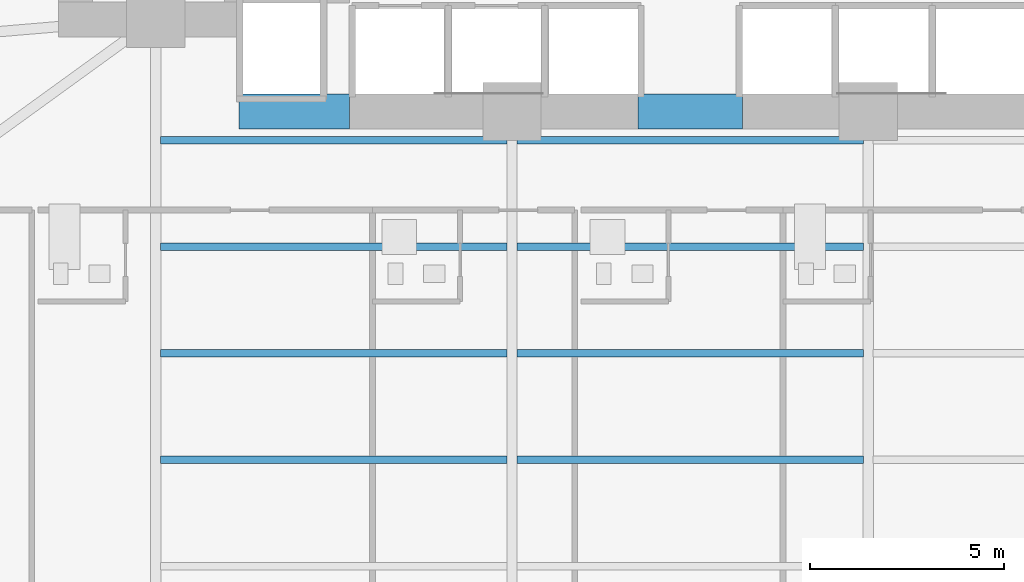
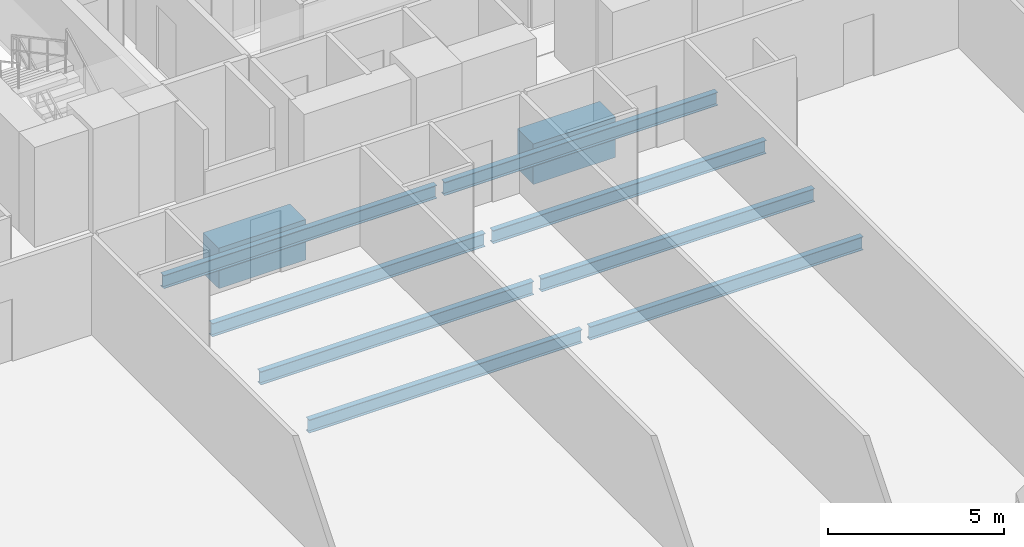
# One storey, part 7 of 29: 10 beams.
"""IFC4 building model written with IfcOpenShell, lengths in metres."""

from ifc_helpers import new_model, si_unit, direction, frame, origin, origin_2d, place, context, subcontext, project, spatial, rectangle, i_section, extrude, material, material_profile, profile_set, type_object, element, save


model = new_model("IFC4")

# Units and contexts
model_context = context("Model", 3, precision=1e-05, world=origin(), true_north=direction((0.0, 1.0)))
body_context = subcontext(model_context, "Body", "Model", "MODEL_VIEW")
ifc_project = project(units=[si_unit("LENGTHUNIT", "METRE"), si_unit("AREAUNIT", "SQUARE_METRE"), si_unit("VOLUMEUNIT", "CUBIC_METRE"), si_unit("PLANEANGLEUNIT", "RADIAN"), si_unit("MASSUNIT", "GRAM", prefix="KILO")], contexts=[model_context])

# Site, building, storey
site_placement = place(None, origin())
site = spatial("IfcSite", under=ifc_project, at=site_placement, CompositionType="ELEMENT")
building_placement = place(site_placement, origin())
building = spatial("IfcBuilding", under=site, at=building_placement, Name="Zuhayl Quay Hotel", CompositionType="ELEMENT")
storey_placement = place(building_placement, frame((0.0, 0.0, 38.550048828125)))
storey = spatial("IfcBuildingStorey", under=building, at=storey_placement, Name="L08", CompositionType="ELEMENT", Elevation=38.550048828125)

# Beams
ifc_material_1 = material(Name="Concrete C60/75", Category="concrete")
ifc_material_profile_1 = material_profile(ifc_material_1, rectangle(XDim=0.89990234375, YDim=1.39990234375, at=origin_2d()), Name="RC900X1400")
ifc_profile_set_1 = profile_set([ifc_material_profile_1], Name="Concrete C60/75")
beam_type_1 = type_object("IfcBeamType", Name="BM_CB1_RC900", PredefinedType="T_BEAM", material=ifc_profile_set_1)
beam_1_placement = place(storey_placement, frame((-11.64990234375, 2.14990234375, -0.920166015625), z_axis=(1.0, 0.0, 0.0), x_axis=(0.0, 1.0, 0.0)))
element("IfcBeam", 1, at=beam_1_placement, inside=storey, type_object=beam_type_1, Name="L08 Core Coupling Beam SW", PredefinedType="T_BEAM", context=body_context, shape_type="SweptSolid", body=[
    extrude(rectangle(XDim=0.89990234375, YDim=1.39990234375, at=origin_2d()), origin(), (0.0, 0.0, 1.0), 2.849853515625),
])
beam_2_placement = place(storey_placement, frame((-1.35009765625, 2.14990234375, -0.920166015625), z_axis=(1.0, 0.0, 0.0), x_axis=(0.0, 1.0, 0.0)))
element("IfcBeam", 2, at=beam_2_placement, inside=storey, type_object=beam_type_1, Name="L08 Core Coupling Beam South", PredefinedType="T_BEAM", context=body_context, shape_type="SweptSolid", body=[
    extrude(rectangle(XDim=0.89990234375, YDim=1.39990234375, at=origin_2d()), origin(), (0.0, 0.0, 1.0), 2.7001953125),
])
ifc_material_2 = material(Name="Steel ASTM A992 Grade 50", Category="steel")
ifc_material_profile_2 = material_profile(ifc_material_2, i_section(OverallWidth=0.18994140625, OverallDepth=0.45703125, WebThickness=0.009033203125, FlangeThickness=0.014404296875, at=origin_2d()), Name="W18X50")
ifc_profile_set_2 = profile_set([ifc_material_profile_2], Name="Steel ASTM A992 Grade 50")
beam_type_2 = type_object("IfcBeamType", Name="BM_J2_W18X50", PredefinedType="JOIST", material=ifc_profile_set_2)
beam_3_placement = place(storey_placement, frame((-13.674560546875, -6.85009765625, -0.448486328125), z_axis=(1.0, 0.0, 0.0), x_axis=(0.0, 1.0, 0.0)))
element("IfcBeam", 3, at=beam_3_placement, inside=storey, type_object=beam_type_2, Name="L08 Floor Beam FJ_L08_7_1", PredefinedType="JOIST", context=body_context, shape_type="SweptSolid", body=[
    extrude(i_section(OverallWidth=0.18994140625, OverallDepth=0.45703125, WebThickness=0.009033203125, FlangeThickness=0.014404296875, at=origin_2d()), origin(), (0.0, 0.0, 1.0), 8.948974609375),
])
beam_4_placement = place(storey_placement, frame((-4.474609375, -6.85009765625, -0.448486328125), z_axis=(1.0, 0.0, 0.0), x_axis=(0.0, 1.0, 0.0)))
element("IfcBeam", 4, at=beam_4_placement, inside=storey, type_object=beam_type_2, Name="L08 Floor Beam FJ_L08_7_2", PredefinedType="JOIST", context=body_context, shape_type="SweptSolid", body=[
    extrude(i_section(OverallWidth=0.18994140625, OverallDepth=0.45703125, WebThickness=0.009033203125, FlangeThickness=0.014404296875, at=origin_2d()), origin(), (0.0, 0.0, 1.0), 8.94921875),
])
beam_5_placement = place(storey_placement, frame((-13.674560546875, -4.10009765625, -0.448486328125), z_axis=(1.0, 0.0, 0.0), x_axis=(0.0, 1.0, 0.0)))
element("IfcBeam", 5, at=beam_5_placement, inside=storey, type_object=beam_type_2, Name="L08 Floor Beam FJ_L08_8_1", PredefinedType="JOIST", context=body_context, shape_type="SweptSolid", body=[
    extrude(i_section(OverallWidth=0.18994140625, OverallDepth=0.45703125, WebThickness=0.009033203125, FlangeThickness=0.014404296875, at=origin_2d()), origin(), (0.0, 0.0, 1.0), 8.948974609375),
])
beam_6_placement = place(storey_placement, frame((-4.474609375, -4.10009765625, -0.448486328125), z_axis=(1.0, 0.0, 0.0), x_axis=(0.0, 1.0, 0.0)))
element("IfcBeam", 6, at=beam_6_placement, inside=storey, type_object=beam_type_2, Name="L08 Floor Beam FJ_L08_8_2", PredefinedType="JOIST", context=body_context, shape_type="SweptSolid", body=[
    extrude(i_section(OverallWidth=0.18994140625, OverallDepth=0.45703125, WebThickness=0.009033203125, FlangeThickness=0.014404296875, at=origin_2d()), origin(), (0.0, 0.0, 1.0), 8.94921875),
])
beam_7_placement = place(storey_placement, frame((-13.674560546875, -1.35009765625, -0.448486328125), z_axis=(1.0, 0.0, 0.0), x_axis=(0.0, 1.0, 0.0)))
element("IfcBeam", 7, at=beam_7_placement, inside=storey, type_object=beam_type_2, Name="L08 Floor Beam FJ_L08_9_1", PredefinedType="JOIST", context=body_context, shape_type="SweptSolid", body=[
    extrude(i_section(OverallWidth=0.18994140625, OverallDepth=0.45703125, WebThickness=0.009033203125, FlangeThickness=0.014404296875, at=origin_2d()), origin(), (0.0, 0.0, 1.0), 8.948974609375),
])
beam_8_placement = place(storey_placement, frame((-4.474609375, -1.35009765625, -0.448486328125), z_axis=(1.0, 0.0, 0.0), x_axis=(0.0, 1.0, 0.0)))
element("IfcBeam", 8, at=beam_8_placement, inside=storey, type_object=beam_type_2, Name="L08 Floor Beam FJ_L08_9_2", PredefinedType="JOIST", context=body_context, shape_type="SweptSolid", body=[
    extrude(i_section(OverallWidth=0.18994140625, OverallDepth=0.45703125, WebThickness=0.009033203125, FlangeThickness=0.014404296875, at=origin_2d()), origin(), (0.0, 0.0, 1.0), 8.94921875),
])
beam_9_placement = place(storey_placement, frame((-13.674560546875, 1.39990234375, -0.448486328125), z_axis=(1.0, 0.0, 0.0), x_axis=(0.0, 1.0, 0.0)))
element("IfcBeam", 9, at=beam_9_placement, inside=storey, type_object=beam_type_2, Name="L08 Floor Beam FJ_L08_10_1", PredefinedType="JOIST", context=body_context, shape_type="SweptSolid", body=[
    extrude(i_section(OverallWidth=0.18994140625, OverallDepth=0.45703125, WebThickness=0.009033203125, FlangeThickness=0.014404296875, at=origin_2d()), origin(), (0.0, 0.0, 1.0), 8.948974609375),
])
beam_10_placement = place(storey_placement, frame((-4.474609375, 1.39990234375, -0.448486328125), z_axis=(1.0, 0.0, 0.0), x_axis=(0.0, 1.0, 0.0)))
element("IfcBeam", 10, at=beam_10_placement, inside=storey, type_object=beam_type_2, Name="L08 Floor Beam FJ_L08_10_2", PredefinedType="JOIST", context=body_context, shape_type="SweptSolid", body=[
    extrude(i_section(OverallWidth=0.18994140625, OverallDepth=0.45703125, WebThickness=0.009033203125, FlangeThickness=0.014404296875, at=origin_2d()), origin(), (0.0, 0.0, 1.0), 8.94921875),
])

save(model, "model.ifc")
